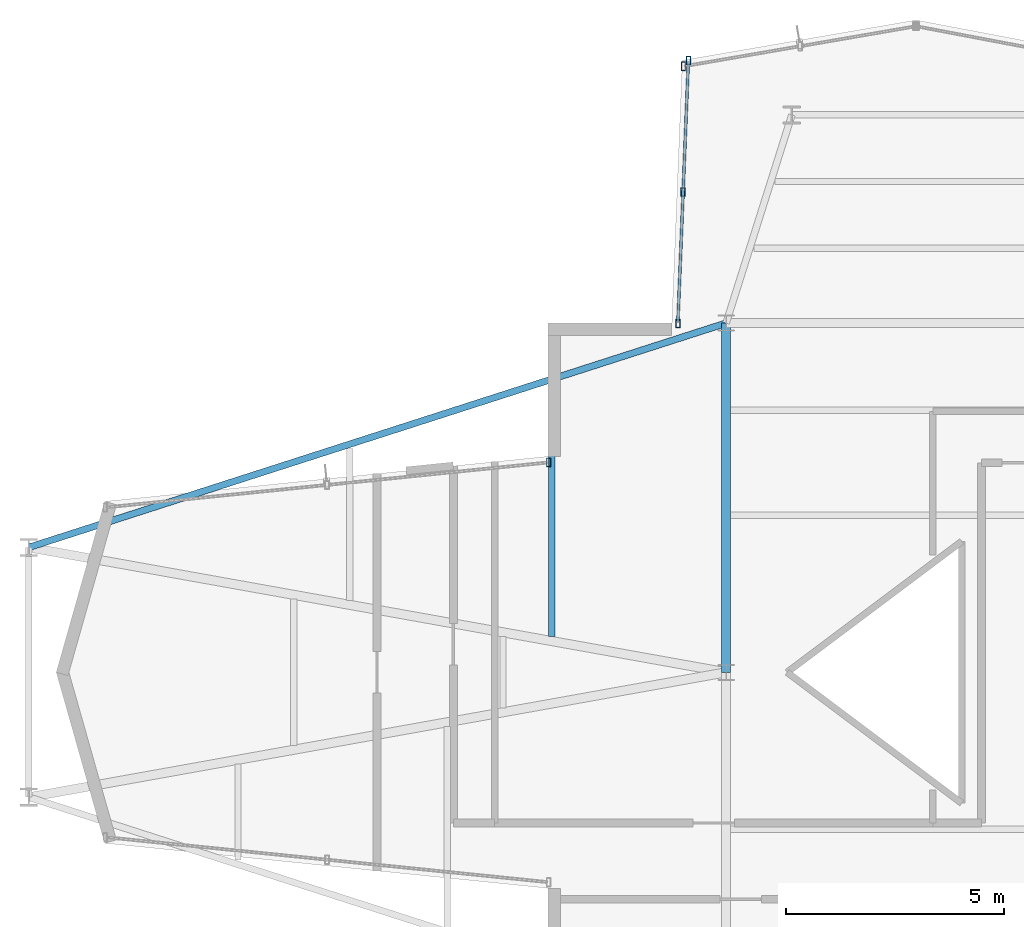
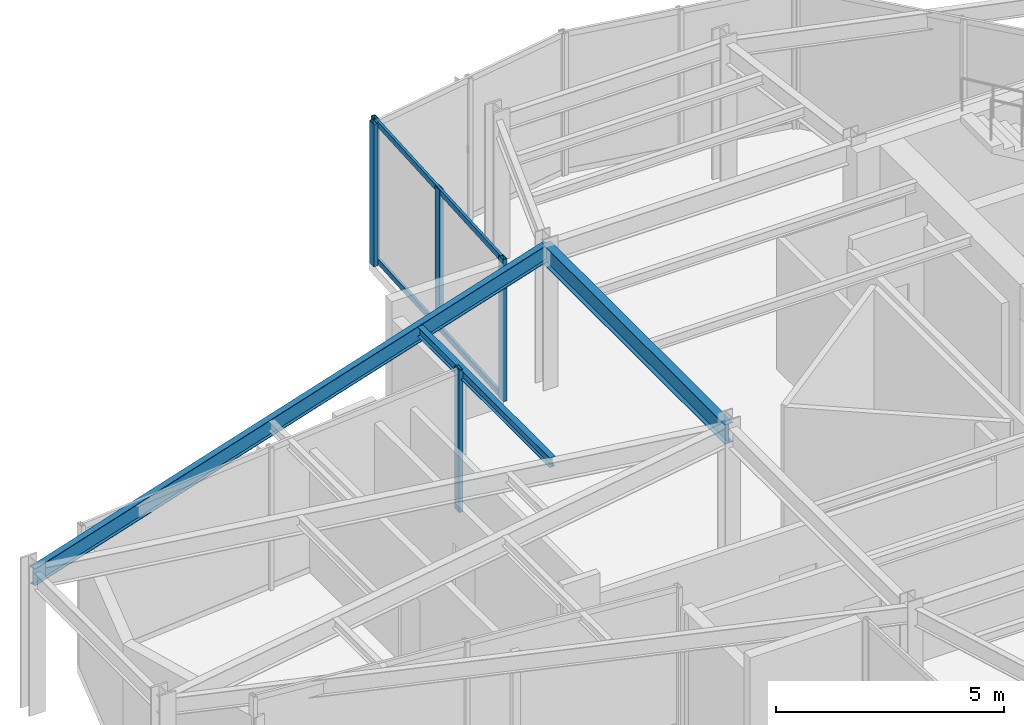
# One storey, part 5 of 15: 7 members, 3 beams, 3 elements without a shape of their own.
"""IFC4 building model written with IfcOpenShell, lengths in metres."""

import ifcopenshell
import ifcopenshell.guid

model = None  # the IFC model being written
_history = None  # IfcOwnerHistory: only IFC2X3 demands one
_inside = {}  # id of a spatial element -> (the spatial element, [elements in it])
_under = {}  # id of a project, library or spatial element -> (it, [spatial elements below it])
_declared = {}  # id of a project -> (the project, [libraries it declares])
_typed = {}  # id of a type object -> (the type object, [elements of that type])
_made_of = {}  # id of a material, layer set ... -> (it, [elements and type objects made of it])


def new_model(schema):
    """Start an empty IFC model of exactly this schema.

    Asked for "IFC4X3", IfcOpenShell would pick the latest addendum, in which some entities
    have other attributes; the version numbers below select the first issue.
    IFC2X3 requires an IfcOwnerHistory on every rooted entity: one is made here for all.
    """
    global model, _history
    if schema == "IFC4X3":
        model = ifcopenshell.file(schema_version=(4, 3, 0, 0))
    else:
        model = ifcopenshell.file(schema=schema)
    _inside.clear()
    _under.clear()
    _declared.clear()
    _typed.clear()
    _made_of.clear()
    _history = None
    if model.schema == "IFC2X3":
        org = make("IfcOrganization", Name="unknown")
        user = make(
            "IfcPersonAndOrganization",
            ThePerson=make("IfcPerson", FamilyName="unknown"),
            TheOrganization=org,
        )
        app = make(
            "IfcApplication",
            ApplicationDeveloper=org,
            Version="unknown",
            ApplicationFullName="unknown",
            ApplicationIdentifier="unknown",
        )
        _history = make(
            "IfcOwnerHistory",
            OwningUser=user,
            OwningApplication=app,
            ChangeAction="ADDED",
            CreationDate=0,
        )
    return model


def make(cls, **values):
    """One entity of the class cls with the attributes given. An attribute that is None is left unset."""
    return model.create_entity(
        cls, **{name: value for name, value in values.items() if value is not None}
    )


def rooted(cls, **values):
    """An entity with a GlobalId (a new one), such as an element, a storey or a relation."""
    return make(cls, GlobalId=ifcopenshell.guid.new(), OwnerHistory=_history, **values)


def si_unit(unit_type, name, prefix=None):
    """IfcSIUnit, for example si_unit("LENGTHUNIT", "METRE", prefix="MILLI")."""
    return make("IfcSIUnit", UnitType=unit_type, Prefix=prefix, Name=name)


def assignment(units):
    """IfcUnitAssignment: the units of a project."""
    return None if units is None else make("IfcUnitAssignment", Units=units)


def point(xyz):
    """IfcCartesianPoint."""
    return None if xyz is None else make("IfcCartesianPoint", Coordinates=xyz)


def direction(xyz):
    """IfcDirection."""
    return None if xyz is None else make("IfcDirection", DirectionRatios=xyz)


def frame(location, z_axis=None, x_axis=None):
    """IfcAxis2Placement3D, a coordinate frame: its origin and axes. An axis left out is left unset."""
    return make(
        "IfcAxis2Placement3D",
        Location=point(location),
        Axis=direction(z_axis),
        RefDirection=direction(x_axis),
    )


def frame_2d(location, x_axis=None):
    """IfcAxis2Placement2D, a coordinate frame in the plane: its origin and x axis."""
    return make(
        "IfcAxis2Placement2D", Location=point(location), RefDirection=direction(x_axis)
    )


def origin():
    """The frame at (0, 0, 0) with its axes left unset."""
    return frame((0.0, 0.0, 0.0))


def origin_2d():
    """The frame at (0, 0) in the plane with its x axis left unset."""
    return frame_2d((0.0, 0.0))


def place(relative_to, where):
    """IfcLocalPlacement: puts the frame where relative to a parent placement (None: the world)."""
    return make(
        "IfcLocalPlacement", PlacementRelTo=relative_to, RelativePlacement=where
    )


def context(
    kind, dimensions, precision=None, world=None, true_north=None, identifier=None
):
    """IfcGeometricRepresentationContext, for example the 3D "Model" context."""
    return make(
        "IfcGeometricRepresentationContext",
        ContextIdentifier=identifier,
        ContextType=kind,
        CoordinateSpaceDimension=dimensions,
        Precision=precision,
        WorldCoordinateSystem=world,
        TrueNorth=true_north,
    )


def subcontext(parent, identifier, kind, view, scale=None):
    """IfcGeometricRepresentationSubContext, for example "Body" below "Model"."""
    return make(
        "IfcGeometricRepresentationSubContext",
        ContextIdentifier=identifier,
        ContextType=kind,
        ParentContext=parent,
        TargetScale=scale,
        TargetView=view,
    )


def project(units=None, contexts=None):
    """IfcProject with its units and contexts."""
    return rooted(
        "IfcProject",
        Name="project",
        RepresentationContexts=contexts,
        UnitsInContext=assignment(units),
    )


def spatial(cls, under=None, at=None, **own):
    """A site, building, storey or space (cls), placed at a placement, below another one or the project."""
    s = rooted(cls, ObjectPlacement=at, **own)
    if under is not None:
        _under.setdefault(under.id(), (under, []))[1].append(s)
    return s


def profile(cls, at=None, kind="AREA", **sizes):
    """A parametric profile (cls). Its sizes go by their IFC names, for example OverallWidth=200.0."""
    return make(cls, ProfileType=kind, Position=at, **sizes)


def hollow_rectangle(**sizes):
    """IfcRectangleHollowProfileDef."""
    return profile("IfcRectangleHollowProfileDef", **sizes)


def i_section(**sizes):
    """IfcIShapeProfileDef."""
    return profile("IfcIShapeProfileDef", **sizes)


def extrude(swept, where, along, depth):
    """IfcExtrudedAreaSolid: the profile swept, set in the frame where, extruded along a direction by depth."""
    return make(
        "IfcExtrudedAreaSolid",
        SweptArea=swept,
        Position=where,
        ExtrudedDirection=direction(along),
        Depth=depth,
    )


def shape(context_of_items, identifier, shape_type, items):
    """IfcShapeRepresentation: the items that make up one representation, for example the "Body"."""
    return make(
        "IfcShapeRepresentation",
        ContextOfItems=context_of_items,
        RepresentationIdentifier=identifier,
        RepresentationType=shape_type,
        Items=items,
    )


def material(Name=None, Category=None):
    """IfcMaterial."""
    return make("IfcMaterial", Name=Name, Category=Category)


def layer(
    of_material, thickness, ventilated=None, Name=None, Category=None, Priority=None
):
    """IfcMaterialLayer: one layer of a wall or slab, of a material (None: an air gap)."""
    return make(
        "IfcMaterialLayer",
        Material=of_material,
        LayerThickness=thickness,
        IsVentilated=ventilated,
        Name=Name,
        Category=Category,
        Priority=Priority,
    )


def layer_set(layers, Name=None):
    """IfcMaterialLayerSet."""
    return make("IfcMaterialLayerSet", MaterialLayers=layers, LayerSetName=Name)


def material_profile(
    of_material, cross_section, Name=None, Category=None, Priority=None
):
    """IfcMaterialProfile: a cross section and its material."""
    return make(
        "IfcMaterialProfile",
        Name=Name,
        Material=of_material,
        Profile=cross_section,
        Priority=Priority,
        Category=Category,
    )


def profile_set(profiles, Name=None, composite=None):
    """IfcMaterialProfileSet."""
    return make(
        "IfcMaterialProfileSet",
        Name=Name,
        MaterialProfiles=profiles,
        CompositeProfile=composite,
    )


def made_of(thing, what):
    """Note that an element or type object is made of a material, layer set ...; save() writes the relation."""
    if what is not None:
        _made_of.setdefault(what.id(), (what, []))[1].append(thing)
    return thing


def type_object(cls, material=None, **own):
    """A type object (cls), such as IfcWallType, which elements share."""
    return made_of(rooted(cls, **own), material)


def element(
    cls,
    number,
    at=None,
    inside=None,
    cuts=None,
    type_object=None,
    material=None,
    context=None,
    identifier="Body",
    shape_type=None,
    held_by="IfcProductDefinitionShape",
    body=None,
    shapes=None,
    **own,
):
    """One element of the class cls, such as IfcWall. Its Tag is "e" and its number.

    at: its placement. inside: the storey or other place that contains it. cuts: it is an
    opening in that element (IfcRelVoidsElement). A single representation is given by context,
    identifier, shape_type and body (its items); several are given by shapes. held_by: the class
    of the entity that holds the representations. save() writes the other relations.
    """
    e = rooted(cls, Tag="e%d" % number, ObjectPlacement=at, **own)
    if body is not None:
        shapes = [shape(context, identifier, shape_type, body)]
    if shapes is not None:
        e.Representation = make(held_by, Representations=shapes)
    if inside is not None:
        _inside.setdefault(inside.id(), (inside, []))[1].append(e)
    if cuts is not None:
        rooted(
            "IfcRelVoidsElement", RelatingBuildingElement=cuts, RelatedOpeningElement=e
        )
    if type_object is not None:
        _typed.setdefault(type_object.id(), (type_object, []))[1].append(e)
    return made_of(e, material)


def aggregate(whole, parts):
    """IfcRelAggregates: a whole, such as a stair, and the parts it consists of."""
    return rooted("IfcRelAggregates", RelatingObject=whole, RelatedObjects=parts)


def save(model, path):
    """Write the relations noted so far, then the file.

    IfcRelAggregates (storeys below a building ...), IfcRelContainedInSpatialStructure (elements
    in a storey), IfcRelDefinesByType, IfcRelAssociatesMaterial and IfcRelDeclares: one each for
    every whole, place, type object, material and project.
    """
    for whole, parts in _under.values():
        aggregate(whole, parts)
    for where, things in _inside.values():
        rooted(
            "IfcRelContainedInSpatialStructure",
            RelatedElements=things,
            RelatingStructure=where,
        )
    for kind, things in _typed.values():
        rooted("IfcRelDefinesByType", RelatedObjects=things, RelatingType=kind)
    for what, things in _made_of.values():
        rooted("IfcRelAssociatesMaterial", RelatedObjects=things, RelatingMaterial=what)
    for by, libraries in _declared.values():
        rooted("IfcRelDeclares", RelatingContext=by, RelatedDefinitions=libraries)
    model.write(path)


model = new_model("IFC4")

# Units and contexts
model_context = context("Model", 3, precision=1e-05, world=origin(), true_north=direction((0.0, 1.0)))
body_context = subcontext(model_context, "Body", "Model", "MODEL_VIEW")
ifc_project = project(units=[si_unit("LENGTHUNIT", "METRE"), si_unit("AREAUNIT", "SQUARE_METRE"), si_unit("VOLUMEUNIT", "CUBIC_METRE"), si_unit("PLANEANGLEUNIT", "RADIAN"), si_unit("MASSUNIT", "GRAM", prefix="KILO")], contexts=[model_context])

# Site, building, storey
site_placement = place(None, origin())
site = spatial("IfcSite", under=ifc_project, at=site_placement, CompositionType="ELEMENT")
building_placement = place(site_placement, origin())
building = spatial("IfcBuilding", under=site, at=building_placement, Name="Veymaron Broadcast Tower", CompositionType="ELEMENT")
storey_placement = place(building_placement, frame((0.0, 0.0, 266.85009765625)))
storey = spatial("IfcBuildingStorey", under=building, at=storey_placement, Name="L62", CompositionType="ELEMENT", Elevation=266.85009765625)

# Beams
ifc_material_1 = material(Name="Structural steel ASTM A992 Gr 50", Category="steel")
ifc_material_profile_1 = material_profile(ifc_material_1, i_section(OverallWidth=0.208984375, OverallDepth=0.528076171875, WebThickness=0.009521484375, FlangeThickness=0.01318359375, at=origin_2d()), Name="W530X82")
ifc_profile_set_1 = profile_set([ifc_material_profile_1], Name="Structural steel ASTM A992 Gr 50")
beam_type_1 = type_object("IfcBeamType", Name="BM-FG4", PredefinedType="BEAM", material=ifc_profile_set_1)
beam_1_placement = place(storey_placement, frame((31.199951171875, 24.0, 3.5458984375), z_axis=(0.0, 1.0, 0.0), x_axis=(-1.0, 0.0, 0.0)))
element("IfcBeam", 1, at=beam_1_placement, inside=storey, type_object=beam_type_1, Name="L62 primary structural floor girder", PredefinedType="BEAM", context=body_context, shape_type="SweptSolid", body=[
    extrude(i_section(OverallWidth=0.208984375, OverallDepth=0.528076171875, WebThickness=0.009521484375, FlangeThickness=0.01318359375, at=origin_2d()), origin(), (0.0, 0.0, 1.0), 8.0),
])
ifc_material_profile_2 = material_profile(ifc_material_1, i_section(OverallWidth=0.14599609375, OverallDepth=0.258056640625, WebThickness=0.006103515625, FlangeThickness=0.009033203125, at=origin_2d()), Name="W250X33")
ifc_profile_set_2 = profile_set([ifc_material_profile_2], Name="Structural steel ASTM A992 Gr 50")
beam_type_2 = type_object("IfcBeamType", Name="BM-JS4", PredefinedType="JOIST", material=ifc_profile_set_2)
beam_2_placement = place(storey_placement, frame((27.2060546875, 24.8154296875, 3.680908203125), z_axis=(0.0, 1.0, 0.0), x_axis=(-1.0, 0.0, 0.0)))
element("IfcBeam", 2, at=beam_2_placement, inside=storey, type_object=beam_type_2, Name="L62 Arm-A secondary joist 2N", PredefinedType="JOIST", context=body_context, shape_type="SweptSolid", body=[
    extrude(i_section(OverallWidth=0.14599609375, OverallDepth=0.258056640625, WebThickness=0.006103515625, FlangeThickness=0.009033203125, at=origin_2d()), origin(), (0.0, 0.0, 1.0), 5.800048828125),
])
ifc_material_profile_3 = material_profile(ifc_material_1, i_section(OverallWidth=0.154052734375, OverallDepth=0.458984375, WebThickness=0.009033203125, FlangeThickness=0.015380859375, at=origin_2d()), Name="W460X68")
ifc_profile_set_3 = profile_set([ifc_material_profile_3], Name="Structural steel ASTM A992 Gr 50")
beam_type_3 = type_object("IfcBeamType", Name="BM-SP2", PredefinedType="SPANDREL", material=ifc_profile_set_3)
beam_3_placement = place(storey_placement, frame((15.224365234375, 26.862060546875, 3.580322265625), z_axis=(0.951977688212, 0.306167407061, 0.0), x_axis=(-0.306167407061, 0.951977688212, 0.0)))
element("IfcBeam", 3, at=beam_3_placement, inside=storey, type_object=beam_type_3, Name="L62 primary structural floor girder", PredefinedType="SPANDREL", context=body_context, shape_type="SweptSolid", body=[
    extrude(i_section(OverallWidth=0.154052734375, OverallDepth=0.458984375, WebThickness=0.009033203125, FlangeThickness=0.015380859375, at=origin_2d()), origin(), (0.0, 0.0, 1.0), 16.781494140625),
])

# Curtain wall, member
ifc_material_2 = material(Name="Anodised aluminium AA 6063-T6 and laminated low-E dark glass", Category="aluminium")
ifc_layer = layer(ifc_material_2, 0.179931640625)
ifc_layer_set = layer_set([ifc_layer], Name="Anodised aluminium AA 6063-T6 and laminated low-E dark glass")
curtain_wall_type = type_object("IfcCurtainWallType", Name="CW-SYS-06", PredefinedType="NOTDEFINED", material=ifc_layer_set)
curtain_wall_1_placement = place(storey_placement, origin())
curtain_wall_1 = element("IfcCurtainWall", 4, at=curtain_wall_1_placement, inside=storey, type_object=curtain_wall_type, Name="L62 dark-glass curtain wall CW-L62-E7-1", PredefinedType="NOTDEFINED")
ifc_material_3 = material(Name="Anodised aluminium AA 6063-T6", Category="aluminium")
ifc_material_profile_4 = material_profile(ifc_material_3, hollow_rectangle(XDim=0.10009765625, YDim=0.199951171875, WallThickness=0.010009765625, at=origin_2d()), Name="RHS200X100X10")
ifc_profile_set_4 = profile_set([ifc_material_profile_4], Name="Anodised aluminium AA 6063-T6")
member_type_1 = type_object("IfcMemberType", Name="CW-MUL-01", PredefinedType="MULLION", material=ifc_profile_set_4)
member_1_placement = place(storey_placement, frame((30.21875, 37.88330078125, 0.0), z_axis=(0.0, 0.0, 1.0), x_axis=(1.0, 0.0, 0.0)))
member_1 = element("IfcMember", 5, at=member_1_placement, type_object=member_type_1, Name="CW-L62-E7-1 mullion 2", PredefinedType="MULLION", context=body_context, shape_type="SweptSolid", body=[
    extrude(hollow_rectangle(XDim=0.10009765625, YDim=0.199951171875, WallThickness=0.010009765625, at=origin_2d()), origin(), (0.0, 0.0, 1.0), 3.809814453125),
])
aggregate(curtain_wall_1, [member_1])

# Curtain wall, members
curtain_wall_2_placement = place(storey_placement, origin())
curtain_wall_2 = element("IfcCurtainWall", 6, at=curtain_wall_2_placement, inside=storey, type_object=curtain_wall_type, Name="L62 dark-glass curtain wall CW-L62-E8-1", PredefinedType="NOTDEFINED")
member_2_placement = place(storey_placement, frame((30.3349609375, 38.015625, 0.0), z_axis=(0.0, 0.0, 1.0), x_axis=(1.0, 0.0, 0.0)))
member_2 = element("IfcMember", 7, at=member_2_placement, type_object=member_type_1, Name="CW-L62-E8-1 mullion 0", PredefinedType="MULLION", context=body_context, shape_type="SweptSolid", body=[
    extrude(hollow_rectangle(XDim=0.10009765625, YDim=0.199951171875, WallThickness=0.010009765625, at=origin_2d()), origin(), (0.0, 0.0, 1.0), 3.809814453125),
])
member_3_placement = place(storey_placement, frame((30.214111328125, 35.0048828125, 0.0), z_axis=(0.0, 0.0, 1.0), x_axis=(1.0, 0.0, 0.0)))
member_3 = element("IfcMember", 8, at=member_3_placement, type_object=member_type_1, Name="CW-L62-E8-1 mullion 1", PredefinedType="MULLION", context=body_context, shape_type="SweptSolid", body=[
    extrude(hollow_rectangle(XDim=0.10009765625, YDim=0.199951171875, WallThickness=0.010009765625, at=origin_2d()), origin(), (0.0, 0.0, 1.0), 3.809814453125),
])
member_4_placement = place(storey_placement, frame((30.093505859375, 31.994384765625, 0.0), z_axis=(0.0, 0.0, 1.0), x_axis=(1.0, 0.0, 0.0)))
member_4 = element("IfcMember", 9, at=member_4_placement, type_object=member_type_1, Name="CW-L62-E8-1 mullion 2", PredefinedType="MULLION", context=body_context, shape_type="SweptSolid", body=[
    extrude(hollow_rectangle(XDim=0.10009765625, YDim=0.199951171875, WallThickness=0.010009765625, at=origin_2d()), origin(), (0.0, 0.0, 1.0), 3.809814453125),
])

# Curtain wall, member
curtain_wall_3_placement = place(storey_placement, origin())
curtain_wall_3 = element("IfcCurtainWall", 10, at=curtain_wall_3_placement, inside=storey, type_object=curtain_wall_type, Name="L62 dark-glass curtain wall CW-L62-E11-1", PredefinedType="NOTDEFINED")
member_5_placement = place(storey_placement, frame((27.1357421875, 28.8095703125, 0.0), z_axis=(0.0, 0.0, 1.0), x_axis=(1.0, 0.0, 0.0)))
member_5 = element("IfcMember", 11, at=member_5_placement, type_object=member_type_1, Name="CW-L62-E11-1 mullion 0", PredefinedType="MULLION", context=body_context, shape_type="SweptSolid", body=[
    extrude(hollow_rectangle(XDim=0.10009765625, YDim=0.199951171875, WallThickness=0.010009765625, at=origin_2d()), origin(), (0.0, 0.0, 1.0), 3.809814453125),
])
aggregate(curtain_wall_3, [member_5])

# Member
ifc_material_profile_5 = material_profile(ifc_material_3, hollow_rectangle(XDim=0.06494140625, YDim=0.14990234375, WallThickness=0.00390625, at=origin_2d()), Name="AL150X65X4")
ifc_profile_set_5 = profile_set([ifc_material_profile_5], Name="Anodised aluminium AA 6063-T6")
member_type_2 = type_object("IfcMemberType", Name="CW-TRN-01", PredefinedType="USERDEFINED", material=ifc_profile_set_5)
member_6_placement = place(storey_placement, frame((30.3330078125, 37.965576171875, 0.06982421875), z_axis=(-0.040045368506, -0.999197862518, 0.0), x_axis=(0.999197862518, -0.040045368506, 0.0)))
member_6 = element("IfcMember", 12, at=member_6_placement, type_object=member_type_2, Name="CW-L62-E8-1 transom B", ObjectType="TRANSOM", PredefinedType="USERDEFINED", context=body_context, shape_type="SweptSolid", body=[
    extrude(hollow_rectangle(XDim=0.06494140625, YDim=0.14990234375, WallThickness=0.00390625, at=origin_2d()), origin(), (0.0, 0.0, 1.0), 5.92578125),
])

member_7_placement = place(storey_placement, frame((30.3330078125, 37.965576171875, 3.739990234375), z_axis=(-0.040045368506, -0.999197862518, 0.0), x_axis=(0.999197862518, -0.040045368506, 0.0)))
member_7 = element("IfcMember", 13, at=member_7_placement, type_object=member_type_2, Name="CW-L62-E8-1 transom T", ObjectType="TRANSOM", PredefinedType="USERDEFINED", context=body_context, shape_type="SweptSolid", body=[
    extrude(hollow_rectangle(XDim=0.06494140625, YDim=0.14990234375, WallThickness=0.00390625, at=origin_2d()), origin(), (0.0, 0.0, 1.0), 5.92578125),
])

aggregate(curtain_wall_2, [member_2, member_3, member_4, member_6, member_7])

save(model, "model.ifc")
